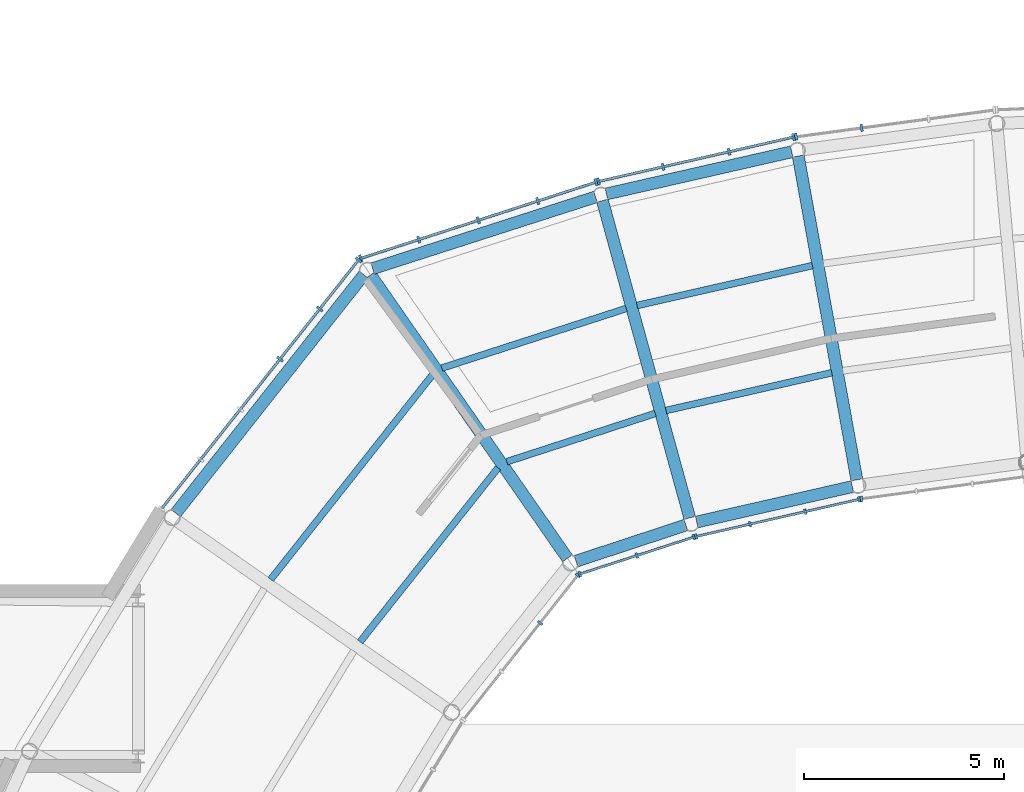
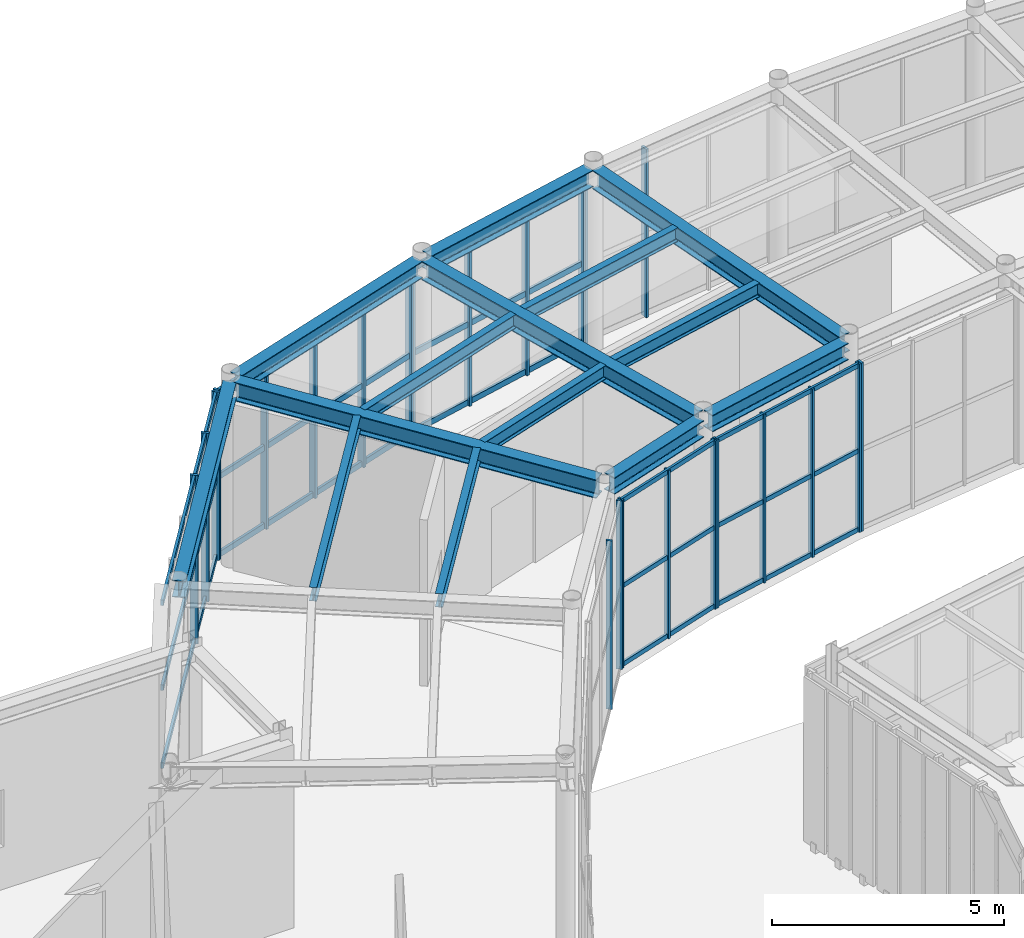
# One storey, part 43 of 97: 39 members, 14 beams, 8 elements without a shape of their own.
"""IFC4 building model written with IfcOpenShell, lengths in metres."""

from ifc_helpers import new_model, si_unit, direction, frame, origin, origin_2d, place, context, subcontext, project, spatial, rectangle, i_section, extrude, material, material_profile, profile_set, type_object, element, aggregate, save


model = new_model("IFC4")

# Units and contexts
model_context = context("Model", 3, precision=1e-05, world=origin(), true_north=direction((0.0, 1.0)))
body_context = subcontext(model_context, "Body", "Model", "MODEL_VIEW")
ifc_project = project(units=[si_unit("LENGTHUNIT", "METRE"), si_unit("AREAUNIT", "SQUARE_METRE"), si_unit("VOLUMEUNIT", "CUBIC_METRE"), si_unit("PLANEANGLEUNIT", "RADIAN"), si_unit("MASSUNIT", "GRAM", prefix="KILO")], contexts=[model_context])

# Site, building, storey
site_placement = place(None, origin())
site = spatial("IfcSite", under=ifc_project, at=site_placement, CompositionType="ELEMENT")
building_placement = place(site_placement, origin())
building = spatial("IfcBuilding", under=site, at=building_placement, Name="Varnklinge Art Gallery", CompositionType="ELEMENT")
storey_placement = place(building_placement, origin())
storey = spatial("IfcBuildingStorey", under=building, at=storey_placement, Name="L00", CompositionType="ELEMENT", Elevation=0.0)

# Beams
ifc_material_1 = material(Name="Steel S355", Category="steel")
ifc_material_profile_1 = material_profile(ifc_material_1, i_section(OverallWidth=0.300048828125, OverallDepth=0.489990234375, WebThickness=0.011962890625, FlangeThickness=0.02294921875, FilletRadius=0.027099609375, at=origin_2d()), Name="HEA 500")
ifc_profile_set_1 = profile_set([ifc_material_profile_1], Name="Steel S355")
beam_type_1 = type_object("IfcBeamType", Name="BM-07", PredefinedType="BEAM", material=ifc_profile_set_1)
for number, where, z_axis, x_axis, name in (
    (1, (65.504638671875, 96.21728515625, 4.635009765625), (0.178151776958, -0.984003020507, 0.0), (0.984003020507, 0.178151776958, 0.0), "L00 BM-07 BM-V2-L01-R19"),
    (2, (60.607421875, 95.102294921875, 4.635009765625), (0.26537851046, -0.96414430776, 0.0), (0.96414430776, 0.26537851046, 0.0), "L00 BM-07 BM-V2-L01-R20"),
):
    element("IfcBeam", number, at=place(storey_placement, frame(where, z_axis=z_axis, x_axis=x_axis)), inside=storey, type_object=beam_type_1, Name=name, PredefinedType="BEAM", context=body_context, shape_type="SweptSolid", body=[
        extrude(i_section(OverallWidth=0.300048828125, OverallDepth=0.489990234375, WebThickness=0.011962890625, FlangeThickness=0.02294921875, FilletRadius=0.027099609375, at=origin_2d()), origin(), (0.0, 0.0, 1.0), 8.229248046875),
    ])
beam_1_placement = place(storey_placement, frame((54.80908203125, 93.244873046875, 4.635009765625), z_axis=(0.570588727281, -0.821235961402, 0.0), x_axis=(0.821235961402, 0.570588727281, 0.0)))
element("IfcBeam", 3, at=beam_1_placement, inside=storey, type_object=beam_type_1, Name="L00 BM-07 BM-V2-L01-R21", PredefinedType="BEAM", context=body_context, shape_type="SweptSolid", body=[
    extrude(i_section(OverallWidth=0.300048828125, OverallDepth=0.489990234375, WebThickness=0.011962890625, FlangeThickness=0.02294921875, FilletRadius=0.027099609375, at=origin_2d()), origin(), (0.0, 0.0, 1.0), 8.6318359375),
])
ifc_material_2 = material(Name="Steel S355", Category="steel")
ifc_material_profile_2 = material_profile(ifc_material_2, i_section(OverallWidth=0.169921875, OverallDepth=0.360107421875, WebThickness=0.008056640625, FlangeThickness=0.0126953125, FilletRadius=0.01806640625, at=origin_2d()), Name="IPE 360")
ifc_profile_set_2 = profile_set([ifc_material_profile_2], Name="Steel S355")
beam_type_2 = type_object("IfcBeamType", Name="JST-06", PredefinedType="JOIST", material=ifc_profile_set_2)
beam_2_placement = place(storey_placement, frame((65.858642578125, 93.47705078125, 4.699951171875), z_axis=(-0.975052249235, -0.22197547446, 0.0), x_axis=(0.22197547446, -0.975052249235, 0.0)))
element("IfcBeam", 4, at=beam_2_placement, inside=storey, type_object=beam_type_2, Name="L00 JST-06 JST-V2-L01-19-1", PredefinedType="JOIST", context=body_context, shape_type="SweptSolid", body=[
    extrude(i_section(OverallWidth=0.169921875, OverallDepth=0.360107421875, WebThickness=0.008056640625, FlangeThickness=0.0126953125, FilletRadius=0.01806640625, at=origin_2d()), origin(), (0.0, 0.0, 1.0), 4.49609375),
])
beam_3_placement = place(storey_placement, frame((66.34375, 90.797607421875, 4.699951171875), z_axis=(-0.975058358995, -0.221948634943, 0.0), x_axis=(0.221948634943, -0.975058358995, 0.0)))
element("IfcBeam", 5, at=beam_3_placement, inside=storey, type_object=beam_type_2, Name="L00 JST-06 JST-V2-L01-19-2", PredefinedType="JOIST", context=body_context, shape_type="SweptSolid", body=[
    extrude(i_section(OverallWidth=0.169921875, OverallDepth=0.360107421875, WebThickness=0.008056640625, FlangeThickness=0.0126953125, FilletRadius=0.01806640625, at=origin_2d()), origin(), (0.0, 0.0, 1.0), 4.25244140625),
])
beam_4_placement = place(storey_placement, frame((61.204833984375, 92.40478515625, 4.699951171875), z_axis=(-0.951573262441, -0.307422065259, 0.0), x_axis=(0.307422065259, -0.951573262441, 0.0)))
element("IfcBeam", 6, at=beam_4_placement, inside=storey, type_object=beam_type_2, Name="L00 JST-06 JST-V2-L01-20-1", PredefinedType="JOIST", context=body_context, shape_type="SweptSolid", body=[
    extrude(i_section(OverallWidth=0.169921875, OverallDepth=0.360107421875, WebThickness=0.008056640625, FlangeThickness=0.0126953125, FilletRadius=0.01806640625, at=origin_2d()), origin(), (0.0, 0.0, 1.0), 4.848388671875),
])
beam_5_placement = place(storey_placement, frame((61.927490234375, 89.779296875, 4.699951171875), z_axis=(-0.950949393045, -0.309346491603, 0.0), x_axis=(0.309346491603, -0.950949393045, 0.0)))
element("IfcBeam", 7, at=beam_5_placement, inside=storey, type_object=beam_type_2, Name="L00 JST-06 JST-V2-L01-20-2", PredefinedType="JOIST", context=body_context, shape_type="SweptSolid", body=[
    extrude(i_section(OverallWidth=0.169921875, OverallDepth=0.360107421875, WebThickness=0.008056640625, FlangeThickness=0.0126953125, FilletRadius=0.01806640625, at=origin_2d()), origin(), (0.0, 0.0, 1.0), 3.900390625),
])
beam_6_placement = place(storey_placement, frame((56.37109375, 90.76171875, 4.699951171875), z_axis=(-0.620207823033, -0.784437541331, 0.0), x_axis=(0.784437541331, -0.620207823033, 0.0)))
element("IfcBeam", 8, at=beam_6_placement, inside=storey, type_object=beam_type_2, Name="L00 JST-06 JST-V2-L01-21-1", PredefinedType="JOIST", context=body_context, shape_type="SweptSolid", body=[
    extrude(i_section(OverallWidth=0.169921875, OverallDepth=0.360107421875, WebThickness=0.008056640625, FlangeThickness=0.0126953125, FilletRadius=0.01806640625, at=origin_2d()), origin(), (0.0, 0.0, 1.0), 6.5439453125),
])
beam_7_placement = place(storey_placement, frame((57.998291015625, 88.419677734375, 4.699951171875), z_axis=(-0.621380748712, -0.783508752427, 0.0), x_axis=(0.783508752427, -0.621380748712, 0.0)))
element("IfcBeam", 9, at=beam_7_placement, inside=storey, type_object=beam_type_2, Name="L00 JST-06 JST-V2-L01-21-2", PredefinedType="JOIST", context=body_context, shape_type="SweptSolid", body=[
    extrude(i_section(OverallWidth=0.169921875, OverallDepth=0.360107421875, WebThickness=0.008056640625, FlangeThickness=0.0126953125, FilletRadius=0.01806640625, at=origin_2d()), origin(), (0.0, 0.0, 1.0), 5.552001953125),
])

# Curtain wall, members
ifc_material_3 = material(Name="Anodised Aluminium", Category="aluminium")
curtain_wall_type_1 = type_object("IfcCurtainWallType", Name="CW-R03", PredefinedType="USERDEFINED", material=ifc_material_3)
curtain_wall_1_placement = place(storey_placement, origin())
curtain_wall_1 = element("IfcCurtainWall", 10, at=curtain_wall_1_placement, inside=storey, type_object=curtain_wall_type_1, Name="L00 Curtain Wall CW-V2O-L00-18", ObjectType="UNITISED CURTAIN WALL", PredefinedType="USERDEFINED")
ifc_material_4 = material(Name="Anodised Aluminium", Category="aluminium")
ifc_material_profile_3 = material_profile(ifc_material_4, rectangle(XDim=0.06494140625, YDim=0.179931640625, at=origin_2d()), Name="ALU 65x180")
ifc_profile_set_3 = profile_set([ifc_material_profile_3], Name="Anodised Aluminium")
member_type_1 = type_object("IfcMemberType", Name="MUL-01", PredefinedType="MULLION", material=ifc_profile_set_3)
member_1_placement = place(storey_placement, frame((67.091064453125, 96.925537109375, 0.0), z_axis=(0.0, 0.0, 1.0), x_axis=(-0.990983199715, -0.133986185418, 0.0)))
member_1 = element("IfcMember", 11, at=member_1_placement, type_object=member_type_1, Name="CW-V2O-L00-18 Mullion 3", PredefinedType="MULLION", context=body_context, shape_type="SweptSolid", body=[
    extrude(rectangle(XDim=0.06494140625, YDim=0.179931640625, at=origin_2d()), origin(), (0.0, 0.0, 1.0), 4.429931640625),
])
member_2_placement = place(storey_placement, frame((65.44970703125, 96.703857421875, 0.0), z_axis=(0.0, 0.0, 1.0), x_axis=(-0.990983199715, -0.133986185418, 0.0)))
member_2 = element("IfcMember", 12, at=member_2_placement, type_object=member_type_1, Name="CW-V2O-L00-18 Mullion 4", PredefinedType="MULLION", context=body_context, shape_type="SweptSolid", body=[
    extrude(rectangle(XDim=0.06494140625, YDim=0.179931640625, at=origin_2d()), origin(), (0.0, 0.0, 1.0), 4.429931640625),
])
aggregate(curtain_wall_1, [member_1, member_2])

curtain_wall_2_placement = place(storey_placement, origin())
curtain_wall_2 = element("IfcCurtainWall", 13, at=curtain_wall_2_placement, inside=storey, type_object=curtain_wall_type_1, Name="L00 Curtain Wall CW-V2O-L00-19", ObjectType="UNITISED CURTAIN WALL", PredefinedType="USERDEFINED")
member_3_placement = place(storey_placement, frame((65.3857421875, 96.692138671875, 0.0), z_axis=(0.0, 0.0, 1.0), x_axis=(-0.975071959883, -0.221888875454, 0.0)))
member_3 = element("IfcMember", 14, at=member_3_placement, type_object=member_type_1, Name="CW-V2O-L00-19 Mullion 1", PredefinedType="MULLION", context=body_context, shape_type="SweptSolid", body=[
    extrude(rectangle(XDim=0.06494140625, YDim=0.179931640625, at=origin_2d()), origin(), (0.0, 0.0, 1.0), 4.429931640625),
])
member_4_placement = place(storey_placement, frame((63.770751953125, 96.324462890625, 0.0), z_axis=(0.0, 0.0, 1.0), x_axis=(-0.975071959883, -0.221888875454, 0.0)))
member_4 = element("IfcMember", 15, at=member_4_placement, type_object=member_type_1, Name="CW-V2O-L00-19 Mullion 2", PredefinedType="MULLION", context=body_context, shape_type="SweptSolid", body=[
    extrude(rectangle(XDim=0.06494140625, YDim=0.179931640625, at=origin_2d()), origin(), (0.0, 0.0, 1.0), 4.429931640625),
])
member_5_placement = place(storey_placement, frame((62.1240234375, 95.94970703125, 0.0), z_axis=(0.0, 0.0, 1.0), x_axis=(-0.975071959883, -0.221888875454, 0.0)))
member_5 = element("IfcMember", 16, at=member_5_placement, type_object=member_type_1, Name="CW-V2O-L00-19 Mullion 3", PredefinedType="MULLION", context=body_context, shape_type="SweptSolid", body=[
    extrude(rectangle(XDim=0.06494140625, YDim=0.179931640625, at=origin_2d()), origin(), (0.0, 0.0, 1.0), 4.429931640625),
])
member_6_placement = place(storey_placement, frame((60.509033203125, 95.58203125, 0.0), z_axis=(0.0, 0.0, 1.0), x_axis=(-0.975071959883, -0.221888875454, 0.0)))
member_6 = element("IfcMember", 17, at=member_6_placement, type_object=member_type_1, Name="CW-V2O-L00-19 Mullion 4", PredefinedType="MULLION", context=body_context, shape_type="SweptSolid", body=[
    extrude(rectangle(XDim=0.06494140625, YDim=0.179931640625, at=origin_2d()), origin(), (0.0, 0.0, 1.0), 4.429931640625),
])

ifc_material_5 = material(Name="Anodised Aluminium", Category="aluminium")
curtain_wall_type_2 = type_object("IfcCurtainWallType", Name="CW-R01", PredefinedType="USERDEFINED", material=ifc_material_5)
curtain_wall_3_placement = place(storey_placement, origin())
curtain_wall_3 = element("IfcCurtainWall", 18, at=curtain_wall_3_placement, inside=storey, type_object=curtain_wall_type_2, Name="L00 Curtain Wall CW-V2O-L00-20", ObjectType="UNITISED CURTAIN WALL", PredefinedType="USERDEFINED")
member_7_placement = place(storey_placement, frame((60.446533203125, 95.564697265625, 0.0), z_axis=(0.0, 0.0, 1.0), x_axis=(-0.951272019071, -0.30835295642, 0.0)))
member_7 = element("IfcMember", 19, at=member_7_placement, type_object=member_type_1, Name="CW-V2O-L00-20 Mullion 1", PredefinedType="MULLION", context=body_context, shape_type="SweptSolid", body=[
    extrude(rectangle(XDim=0.06494140625, YDim=0.179931640625, at=origin_2d()), origin(), (0.0, 0.0, 1.0), 4.429931640625),
])
member_8_placement = place(storey_placement, frame((58.990478515625, 95.093017578125, 0.0), z_axis=(0.0, 0.0, 1.0), x_axis=(-0.951272019071, -0.30835295642, 0.0)))
member_8 = element("IfcMember", 20, at=member_8_placement, type_object=member_type_1, Name="CW-V2O-L00-20 Mullion 2", PredefinedType="MULLION", context=body_context, shape_type="SweptSolid", body=[
    extrude(rectangle(XDim=0.06494140625, YDim=0.179931640625, at=origin_2d()), origin(), (0.0, 0.0, 1.0), 4.429931640625),
])
member_9_placement = place(storey_placement, frame((57.50341796875, 94.611083984375, 0.0), z_axis=(0.0, 0.0, 1.0), x_axis=(-0.951272019071, -0.30835295642, 0.0)))
member_9 = element("IfcMember", 21, at=member_9_placement, type_object=member_type_1, Name="CW-V2O-L00-20 Mullion 3", PredefinedType="MULLION", context=body_context, shape_type="SweptSolid", body=[
    extrude(rectangle(XDim=0.06494140625, YDim=0.179931640625, at=origin_2d()), origin(), (0.0, 0.0, 1.0), 4.429931640625),
])
member_10_placement = place(storey_placement, frame((56.016357421875, 94.129150390625, 0.0), z_axis=(0.0, 0.0, 1.0), x_axis=(-0.951272019071, -0.30835295642, 0.0)))
member_10 = element("IfcMember", 22, at=member_10_placement, type_object=member_type_1, Name="CW-V2O-L00-20 Mullion 4", PredefinedType="MULLION", context=body_context, shape_type="SweptSolid", body=[
    extrude(rectangle(XDim=0.06494140625, YDim=0.179931640625, at=origin_2d()), origin(), (0.0, 0.0, 1.0), 4.429931640625),
])
member_11_placement = place(storey_placement, frame((54.560302734375, 93.6572265625, 0.0), z_axis=(0.0, 0.0, 1.0), x_axis=(-0.951272019071, -0.30835295642, 0.0)))
member_11 = element("IfcMember", 23, at=member_11_placement, type_object=member_type_1, Name="CW-V2O-L00-20 Mullion 5", PredefinedType="MULLION", context=body_context, shape_type="SweptSolid", body=[
    extrude(rectangle(XDim=0.06494140625, YDim=0.179931640625, at=origin_2d()), origin(), (0.0, 0.0, 1.0), 4.429931640625),
])

curtain_wall_4_placement = place(storey_placement, origin())
curtain_wall_4 = element("IfcCurtainWall", 24, at=curtain_wall_4_placement, inside=storey, type_object=curtain_wall_type_2, Name="L00 Curtain Wall CW-V2O-L00-21", ObjectType="UNITISED CURTAIN WALL", PredefinedType="USERDEFINED")
member_12_placement = place(storey_placement, frame((54.50927734375, 93.62158203125, 0.0), z_axis=(0.0, 0.0, 1.0), x_axis=(-0.620737354217, -0.784018582101, 0.0)))
member_12 = element("IfcMember", 25, at=member_12_placement, type_object=member_type_1, Name="CW-V2O-L00-21 Mullion 1", PredefinedType="MULLION", context=body_context, shape_type="SweptSolid", body=[
    extrude(rectangle(XDim=0.06494140625, YDim=0.179931640625, at=origin_2d()), origin(), (0.0, 0.0, 1.0), 4.429931640625),
])
member_13_placement = place(storey_placement, frame((53.5361328125, 92.392822265625, 0.0), z_axis=(0.0, 0.0, 1.0), x_axis=(-0.620737354217, -0.784018582101, 0.0)))
member_13 = element("IfcMember", 26, at=member_13_placement, type_object=member_type_1, Name="CW-V2O-L00-21 Mullion 2", PredefinedType="MULLION", context=body_context, shape_type="SweptSolid", body=[
    extrude(rectangle(XDim=0.06494140625, YDim=0.179931640625, at=origin_2d()), origin(), (0.0, 0.0, 1.0), 4.429931640625),
])
member_14_placement = place(storey_placement, frame((52.542724609375, 91.13818359375, 0.0), z_axis=(0.0, 0.0, 1.0), x_axis=(-0.620737354217, -0.784018582101, 0.0)))
member_14 = element("IfcMember", 27, at=member_14_placement, type_object=member_type_1, Name="CW-V2O-L00-21 Mullion 3", PredefinedType="MULLION", context=body_context, shape_type="SweptSolid", body=[
    extrude(rectangle(XDim=0.06494140625, YDim=0.179931640625, at=origin_2d()), origin(), (0.0, 0.0, 1.0), 4.429931640625),
])

# Curtain wall, member
curtain_wall_5_placement = place(storey_placement, origin())
curtain_wall_5 = element("IfcCurtainWall", 28, at=curtain_wall_5_placement, inside=storey, type_object=curtain_wall_type_1, Name="L00 Curtain Wall CW-V2I-L00-18", ObjectType="UNITISED CURTAIN WALL", PredefinedType="USERDEFINED")
ifc_material_6 = material(Name="Anodised Aluminium", Category="aluminium")
ifc_material_profile_4 = material_profile(ifc_material_6, rectangle(XDim=0.06005859375, YDim=0.139892578125, at=origin_2d()), Name="ALU 60x140")
ifc_profile_set_4 = profile_set([ifc_material_profile_4], Name="Anodised Aluminium")
member_type_2 = type_object("IfcMemberType", Name="MUL-03", PredefinedType="MULLION", material=ifc_profile_set_4)
member_15_placement = place(storey_placement, frame((67.087646484375, 87.641357421875, 0.0), z_axis=(0.0, 0.0, 1.0), x_axis=(0.990983199715, 0.133986185418, 0.0)))
member_15 = element("IfcMember", 29, at=member_15_placement, type_object=member_type_2, Name="CW-V2I-L00-18 Mullion 1", PredefinedType="MULLION", context=body_context, shape_type="SweptSolid", body=[
    extrude(rectangle(XDim=0.06005859375, YDim=0.139892578125, at=origin_2d()), origin(), (0.0, 0.0, 1.0), 4.429931640625),
])
aggregate(curtain_wall_5, [member_15])

# Curtain wall, members
curtain_wall_6_placement = place(storey_placement, origin())
curtain_wall_6 = element("IfcCurtainWall", 30, at=curtain_wall_6_placement, inside=storey, type_object=curtain_wall_type_1, Name="L00 Curtain Wall CW-V2I-L00-19", ObjectType="UNITISED CURTAIN WALL", PredefinedType="USERDEFINED")
member_16_placement = place(storey_placement, frame((62.95068359375, 86.702392578125, 0.0), z_axis=(0.0, 0.0, 1.0), x_axis=(0.975071959883, 0.221888875454, 0.0)))
member_16 = element("IfcMember", 31, at=member_16_placement, type_object=member_type_2, Name="CW-V2I-L00-19 Mullion 1", PredefinedType="MULLION", context=body_context, shape_type="SweptSolid", body=[
    extrude(rectangle(XDim=0.06005859375, YDim=0.139892578125, at=origin_2d()), origin(), (0.0, 0.0, 1.0), 4.429931640625),
])
member_17_placement = place(storey_placement, frame((64.30029296875, 87.009765625, 0.0), z_axis=(0.0, 0.0, 1.0), x_axis=(0.975071959883, 0.221888875454, 0.0)))
member_17 = element("IfcMember", 32, at=member_17_placement, type_object=member_type_2, Name="CW-V2I-L00-19 Mullion 2", PredefinedType="MULLION", context=body_context, shape_type="SweptSolid", body=[
    extrude(rectangle(XDim=0.06005859375, YDim=0.139892578125, at=origin_2d()), origin(), (0.0, 0.0, 1.0), 4.429931640625),
])
member_18_placement = place(storey_placement, frame((65.67919921875, 87.323486328125, 0.0), z_axis=(0.0, 0.0, 1.0), x_axis=(0.975071959883, 0.221888875454, 0.0)))
member_18 = element("IfcMember", 33, at=member_18_placement, type_object=member_type_2, Name="CW-V2I-L00-19 Mullion 3", PredefinedType="MULLION", context=body_context, shape_type="SweptSolid", body=[
    extrude(rectangle(XDim=0.06005859375, YDim=0.139892578125, at=origin_2d()), origin(), (0.0, 0.0, 1.0), 4.429931640625),
])
member_19_placement = place(storey_placement, frame((67.028564453125, 87.630615234375, 0.0), z_axis=(0.0, 0.0, 1.0), x_axis=(0.975071959883, 0.221888875454, 0.0)))
member_19 = element("IfcMember", 34, at=member_19_placement, type_object=member_type_2, Name="CW-V2I-L00-19 Mullion 4", PredefinedType="MULLION", context=body_context, shape_type="SweptSolid", body=[
    extrude(rectangle(XDim=0.06005859375, YDim=0.139892578125, at=origin_2d()), origin(), (0.0, 0.0, 1.0), 4.429931640625),
])

curtain_wall_7_placement = place(storey_placement, origin())
curtain_wall_7 = element("IfcCurtainWall", 35, at=curtain_wall_7_placement, inside=storey, type_object=curtain_wall_type_1, Name="L00 Curtain Wall CW-V2I-L00-20", ObjectType="UNITISED CURTAIN WALL", PredefinedType="USERDEFINED")
member_20_placement = place(storey_placement, frame((60.04248046875, 85.7626953125, 0.0), z_axis=(0.0, 0.0, 1.0), x_axis=(0.951272019071, 0.30835295642, 0.0)))
member_20 = element("IfcMember", 36, at=member_20_placement, type_object=member_type_2, Name="CW-V2I-L00-20 Mullion 1", PredefinedType="MULLION", context=body_context, shape_type="SweptSolid", body=[
    extrude(rectangle(XDim=0.06005859375, YDim=0.139892578125, at=origin_2d()), origin(), (0.0, 0.0, 1.0), 4.429931640625),
])
member_21_placement = place(storey_placement, frame((61.4677734375, 86.224609375, 0.0), z_axis=(0.0, 0.0, 1.0), x_axis=(0.951272019071, 0.30835295642, 0.0)))
member_21 = element("IfcMember", 37, at=member_21_placement, type_object=member_type_2, Name="CW-V2I-L00-20 Mullion 2", PredefinedType="MULLION", context=body_context, shape_type="SweptSolid", body=[
    extrude(rectangle(XDim=0.06005859375, YDim=0.139892578125, at=origin_2d()), origin(), (0.0, 0.0, 1.0), 4.429931640625),
])
member_22_placement = place(storey_placement, frame((62.892822265625, 86.6865234375, 0.0), z_axis=(0.0, 0.0, 1.0), x_axis=(0.951272019071, 0.30835295642, 0.0)))
member_22 = element("IfcMember", 38, at=member_22_placement, type_object=member_type_2, Name="CW-V2I-L00-20 Mullion 3", PredefinedType="MULLION", context=body_context, shape_type="SweptSolid", body=[
    extrude(rectangle(XDim=0.06005859375, YDim=0.139892578125, at=origin_2d()), origin(), (0.0, 0.0, 1.0), 4.429931640625),
])

curtain_wall_8_placement = place(storey_placement, origin())
curtain_wall_8 = element("IfcCurtainWall", 39, at=curtain_wall_8_placement, inside=storey, type_object=curtain_wall_type_1, Name="L00 Curtain Wall CW-V2I-L00-21", ObjectType="UNITISED CURTAIN WALL", PredefinedType="USERDEFINED")
member_23_placement = place(storey_placement, frame((59.05078125, 84.536865234375, 0.0), z_axis=(0.0, 0.0, 1.0), x_axis=(0.620737354217, 0.784018582101, 0.0)))
member_23 = element("IfcMember", 40, at=member_23_placement, type_object=member_type_2, Name="CW-V2I-L00-21 Mullion 3", PredefinedType="MULLION", context=body_context, shape_type="SweptSolid", body=[
    extrude(rectangle(XDim=0.06005859375, YDim=0.139892578125, at=origin_2d()), origin(), (0.0, 0.0, 1.0), 4.429931640625),
])
member_24_placement = place(storey_placement, frame((59.995361328125, 85.72998046875, 0.0), z_axis=(0.0, 0.0, 1.0), x_axis=(0.620737354217, 0.784018582101, 0.0)))
member_24 = element("IfcMember", 41, at=member_24_placement, type_object=member_type_2, Name="CW-V2I-L00-21 Mullion 4", PredefinedType="MULLION", context=body_context, shape_type="SweptSolid", body=[
    extrude(rectangle(XDim=0.06005859375, YDim=0.139892578125, at=origin_2d()), origin(), (0.0, 0.0, 1.0), 4.429931640625),
])
aggregate(curtain_wall_8, [member_23, member_24])

# Beams
ifc_material_7 = material(Name="Steel S355", Category="steel")
ifc_material_profile_5 = material_profile(ifc_material_7, i_section(OverallWidth=0.300048828125, OverallDepth=0.43994140625, WebThickness=0.011474609375, FlangeThickness=0.02099609375, FilletRadius=0.027099609375, at=origin_2d()), Name="HEA 450")
ifc_profile_set_5 = profile_set([ifc_material_profile_5], Name="Steel S355")
beam_type_3 = type_object("IfcBeamType", Name="SPB-02", PredefinedType="SPANDREL", material=ifc_profile_set_5)
beam_8_placement = place(storey_placement, frame((65.34326171875, 96.323974609375, 4.659912109375), z_axis=(-0.975056640979, -0.221956182347, 0.0), x_axis=(0.221956182347, -0.975056640979, 0.0)))
element("IfcBeam", 42, at=beam_8_placement, inside=storey, type_object=beam_type_3, Name="L00 SPB-02 BM-V2-L01-O19", PredefinedType="SPANDREL", context=body_context, shape_type="SweptSolid", body=[
    extrude(i_section(OverallWidth=0.300048828125, OverallDepth=0.43994140625, WebThickness=0.011474609375, FlangeThickness=0.02099609375, FilletRadius=0.027099609375, at=origin_2d()), origin(), (0.0, 0.0, 1.0), 4.755126953125),
])
beam_9_placement = place(storey_placement, frame((66.859130859375, 87.95068359375, 4.659912109375), z_axis=(-0.975053526144, -0.221969865419, 0.0), x_axis=(0.221969865419, -0.975053526144, 0.0)))
element("IfcBeam", 43, at=beam_9_placement, inside=storey, type_object=beam_type_3, Name="L00 SPB-02 BM-V2-L01-I19", PredefinedType="SPANDREL", context=body_context, shape_type="SweptSolid", body=[
    extrude(i_section(OverallWidth=0.300048828125, OverallDepth=0.43994140625, WebThickness=0.011474609375, FlangeThickness=0.02099609375, FilletRadius=0.027099609375, at=origin_2d()), origin(), (0.0, 0.0, 1.0), 3.99365234375),
])
beam_10_placement = place(storey_placement, frame((60.43701171875, 95.194580078125, 4.659912109375), z_axis=(-0.952022487869, -0.306028074843, 0.0), x_axis=(0.306028074843, -0.952022487869, 0.0)))
element("IfcBeam", 44, at=beam_10_placement, inside=storey, type_object=beam_type_3, Name="L00 SPB-02 BM-V2-L01-O20", PredefinedType="SPANDREL", context=body_context, shape_type="SweptSolid", body=[
    extrude(i_section(OverallWidth=0.300048828125, OverallDepth=0.43994140625, WebThickness=0.011474609375, FlangeThickness=0.02099609375, FilletRadius=0.027099609375, at=origin_2d()), origin(), (0.0, 0.0, 1.0), 5.855712890625),
])
beam_11_placement = place(storey_placement, frame((62.695556640625, 86.989501953125, 4.659912109375), z_axis=(-0.94984963517, -0.312707004347, 0.0), x_axis=(0.312707004347, -0.94984963517, 0.0)))
element("IfcBeam", 45, at=beam_11_placement, inside=storey, type_object=beam_type_3, Name="L00 SPB-02 BM-V2-L01-I20", PredefinedType="SPANDREL", context=body_context, shape_type="SweptSolid", body=[
    extrude(i_section(OverallWidth=0.300048828125, OverallDepth=0.43994140625, WebThickness=0.011474609375, FlangeThickness=0.02099609375, FilletRadius=0.027099609375, at=origin_2d()), origin(), (0.0, 0.0, 1.0), 2.893310546875),
])
beam_12_placement = place(storey_placement, frame((54.642333984375, 93.25, 4.659912109375), z_axis=(-0.619327516232, -0.785132745233, 0.0), x_axis=(0.785132745233, -0.619327516232, 0.0)))
element("IfcBeam", 46, at=beam_12_placement, inside=storey, type_object=beam_type_3, Name="L00 SPB-02 BM-V2-L01-O21", PredefinedType="SPANDREL", context=body_context, shape_type="SweptSolid", body=[
    extrude(i_section(OverallWidth=0.300048828125, OverallDepth=0.43994140625, WebThickness=0.011474609375, FlangeThickness=0.02099609375, FilletRadius=0.027099609375, at=origin_2d()), origin(), (0.0, 0.0, 1.0), 7.597900390625),
])

# Member
ifc_material_8 = material(Name="Anodised Aluminium", Category="aluminium")
ifc_material_profile_6 = material_profile(ifc_material_8, rectangle(XDim=0.06494140625, YDim=0.14990234375, at=origin_2d()), Name="ALU 65x150")
ifc_profile_set_6 = profile_set([ifc_material_profile_6], Name="Anodised Aluminium")
member_type_3 = type_object("IfcMemberType", Name="TRN-01", PredefinedType="USERDEFINED", material=ifc_profile_set_6)
member_25_placement = place(storey_placement, frame((65.3857421875, 96.692138671875, 0.074951171875), z_axis=(-0.975056556425, -0.221956553795, 0.0), x_axis=(0.221956553795, -0.975056556425, 0.0)))
member_25 = element("IfcMember", 47, at=member_25_placement, type_object=member_type_3, Name="CW-V2O-L00-19 Transom 1", ObjectType="TRANSOM", PredefinedType="USERDEFINED", context=body_context, shape_type="SweptSolid", body=[
    extrude(rectangle(XDim=0.06494140625, YDim=0.14990234375, at=origin_2d()), origin(), (0.0, 0.0, 1.0), 5.00146484375),
])

member_26_placement = place(storey_placement, frame((65.3857421875, 96.692138671875, 2.12646484375), z_axis=(-0.975056556425, -0.221956553795, 0.0), x_axis=(0.221956553795, -0.975056556425, 0.0)))
member_26 = element("IfcMember", 48, at=member_26_placement, type_object=member_type_3, Name="CW-V2O-L00-19 Transom 2", ObjectType="TRANSOM", PredefinedType="USERDEFINED", context=body_context, shape_type="SweptSolid", body=[
    extrude(rectangle(XDim=0.06494140625, YDim=0.14990234375, at=origin_2d()), origin(), (0.0, 0.0, 1.0), 5.00146484375),
])

member_27_placement = place(storey_placement, frame((65.3857421875, 96.692138671875, 4.35498046875), z_axis=(-0.975056556425, -0.221956553795, 0.0), x_axis=(0.221956553795, -0.975056556425, 0.0)))
member_27 = element("IfcMember", 49, at=member_27_placement, type_object=member_type_3, Name="CW-V2O-L00-19 Transom 3", ObjectType="TRANSOM", PredefinedType="USERDEFINED", context=body_context, shape_type="SweptSolid", body=[
    extrude(rectangle(XDim=0.06494140625, YDim=0.14990234375, at=origin_2d()), origin(), (0.0, 0.0, 1.0), 5.00146484375),
])

aggregate(curtain_wall_2, [member_3, member_4, member_5, member_6, member_25, member_26, member_27])

member_28_placement = place(storey_placement, frame((60.446533203125, 95.564697265625, 0.074951171875), z_axis=(-0.951297583727, -0.308274078045, 0.0), x_axis=(0.308274078045, -0.951297583727, 0.0)))
member_28 = element("IfcMember", 50, at=member_28_placement, type_object=member_type_3, Name="CW-V2O-L00-20 Transom 1", ObjectType="TRANSOM", PredefinedType="USERDEFINED", context=body_context, shape_type="SweptSolid", body=[
    extrude(rectangle(XDim=0.06494140625, YDim=0.14990234375, at=origin_2d()), origin(), (0.0, 0.0, 1.0), 6.1875),
])

member_29_placement = place(storey_placement, frame((60.446533203125, 95.564697265625, 2.12646484375), z_axis=(-0.951297583727, -0.308274078045, 0.0), x_axis=(0.308274078045, -0.951297583727, 0.0)))
member_29 = element("IfcMember", 51, at=member_29_placement, type_object=member_type_3, Name="CW-V2O-L00-20 Transom 2", ObjectType="TRANSOM", PredefinedType="USERDEFINED", context=body_context, shape_type="SweptSolid", body=[
    extrude(rectangle(XDim=0.06494140625, YDim=0.14990234375, at=origin_2d()), origin(), (0.0, 0.0, 1.0), 6.1875),
])

member_30_placement = place(storey_placement, frame((60.446533203125, 95.564697265625, 4.35498046875), z_axis=(-0.951297583727, -0.308274078045, 0.0), x_axis=(0.308274078045, -0.951297583727, 0.0)))
member_30 = element("IfcMember", 52, at=member_30_placement, type_object=member_type_3, Name="CW-V2O-L00-20 Transom 3", ObjectType="TRANSOM", PredefinedType="USERDEFINED", context=body_context, shape_type="SweptSolid", body=[
    extrude(rectangle(XDim=0.06494140625, YDim=0.14990234375, at=origin_2d()), origin(), (0.0, 0.0, 1.0), 6.1875),
])

aggregate(curtain_wall_3, [member_7, member_8, member_9, member_10, member_11, member_28, member_29, member_30])

member_31_placement = place(storey_placement, frame((54.50927734375, 93.62158203125, 0.074951171875), z_axis=(-0.620773865462, -0.783989673376, 0.0), x_axis=(0.783989673376, -0.620773865462, 0.0)))
member_31 = element("IfcMember", 53, at=member_31_placement, type_object=member_type_3, Name="CW-V2O-L00-21 Transom 1", ObjectType="TRANSOM", PredefinedType="USERDEFINED", context=body_context, shape_type="SweptSolid", body=[
    extrude(rectangle(XDim=0.06494140625, YDim=0.14990234375, at=origin_2d()), origin(), (0.0, 0.0, 1.0), 7.935302734375),
])

member_32_placement = place(storey_placement, frame((54.50927734375, 93.62158203125, 2.12646484375), z_axis=(-0.620773865462, -0.783989673376, 0.0), x_axis=(0.783989673376, -0.620773865462, 0.0)))
member_32 = element("IfcMember", 54, at=member_32_placement, type_object=member_type_3, Name="CW-V2O-L00-21 Transom 2", ObjectType="TRANSOM", PredefinedType="USERDEFINED", context=body_context, shape_type="SweptSolid", body=[
    extrude(rectangle(XDim=0.06494140625, YDim=0.14990234375, at=origin_2d()), origin(), (0.0, 0.0, 1.0), 7.935302734375),
])

member_33_placement = place(storey_placement, frame((54.50927734375, 93.62158203125, 4.35498046875), z_axis=(-0.620773865462, -0.783989673376, 0.0), x_axis=(0.783989673376, -0.620773865462, 0.0)))
member_33 = element("IfcMember", 55, at=member_33_placement, type_object=member_type_3, Name="CW-V2O-L00-21 Transom 3", ObjectType="TRANSOM", PredefinedType="USERDEFINED", context=body_context, shape_type="SweptSolid", body=[
    extrude(rectangle(XDim=0.06494140625, YDim=0.14990234375, at=origin_2d()), origin(), (0.0, 0.0, 1.0), 7.935302734375),
])

aggregate(curtain_wall_4, [member_12, member_13, member_14, member_31, member_32, member_33])

ifc_material_9 = material(Name="Anodised Aluminium", Category="aluminium")
ifc_material_profile_7 = material_profile(ifc_material_9, rectangle(XDim=0.06005859375, YDim=0.1201171875, at=origin_2d()), Name="ALU 60x120")
ifc_profile_set_7 = profile_set([ifc_material_profile_7], Name="Anodised Aluminium")
member_type_4 = type_object("IfcMemberType", Name="TRN-02", PredefinedType="USERDEFINED", material=ifc_profile_set_7)
member_34_placement = place(storey_placement, frame((62.95068359375, 86.702392578125, 0.06005859375), z_axis=(0.975058827612, 0.221946576219, 0.0), x_axis=(-0.221946576219, 0.975058827612, 0.0)))
member_34 = element("IfcMember", 56, at=member_34_placement, type_object=member_type_4, Name="CW-V2I-L00-19 Transom 1", ObjectType="TRANSOM", PredefinedType="USERDEFINED", context=body_context, shape_type="SweptSolid", body=[
    extrude(rectangle(XDim=0.06005859375, YDim=0.1201171875, at=origin_2d()), origin(), (0.0, 0.0, 1.0), 4.18212890625),
])

member_35_placement = place(storey_placement, frame((62.95068359375, 86.702392578125, 2.12646484375), z_axis=(0.975058827612, 0.221946576219, 0.0), x_axis=(-0.221946576219, 0.975058827612, 0.0)))
member_35 = element("IfcMember", 57, at=member_35_placement, type_object=member_type_4, Name="CW-V2I-L00-19 Transom 2", ObjectType="TRANSOM", PredefinedType="USERDEFINED", context=body_context, shape_type="SweptSolid", body=[
    extrude(rectangle(XDim=0.06005859375, YDim=0.1201171875, at=origin_2d()), origin(), (0.0, 0.0, 1.0), 4.18212890625),
])

member_36_placement = place(storey_placement, frame((62.95068359375, 86.702392578125, 4.3701171875), z_axis=(0.975058827612, 0.221946576219, 0.0), x_axis=(-0.221946576219, 0.975058827612, 0.0)))
member_36 = element("IfcMember", 58, at=member_36_placement, type_object=member_type_4, Name="CW-V2I-L00-19 Transom 3", ObjectType="TRANSOM", PredefinedType="USERDEFINED", context=body_context, shape_type="SweptSolid", body=[
    extrude(rectangle(XDim=0.06005859375, YDim=0.1201171875, at=origin_2d()), origin(), (0.0, 0.0, 1.0), 4.18212890625),
])

aggregate(curtain_wall_6, [member_16, member_17, member_18, member_19, member_34, member_35, member_36])

member_37_placement = place(storey_placement, frame((60.04248046875, 85.7626953125, 0.06005859375), z_axis=(0.9512822555, 0.308321375144, 0.0), x_axis=(-0.308321375144, 0.9512822555, 0.0)))
member_37 = element("IfcMember", 59, at=member_37_placement, type_object=member_type_4, Name="CW-V2I-L00-20 Transom 1", ObjectType="TRANSOM", PredefinedType="USERDEFINED", context=body_context, shape_type="SweptSolid", body=[
    extrude(rectangle(XDim=0.06005859375, YDim=0.1201171875, at=origin_2d()), origin(), (0.0, 0.0, 1.0), 2.996337890625),
])

member_38_placement = place(storey_placement, frame((60.04248046875, 85.7626953125, 2.12646484375), z_axis=(0.9512822555, 0.308321375144, 0.0), x_axis=(-0.308321375144, 0.9512822555, 0.0)))
member_38 = element("IfcMember", 60, at=member_38_placement, type_object=member_type_4, Name="CW-V2I-L00-20 Transom 2", ObjectType="TRANSOM", PredefinedType="USERDEFINED", context=body_context, shape_type="SweptSolid", body=[
    extrude(rectangle(XDim=0.06005859375, YDim=0.1201171875, at=origin_2d()), origin(), (0.0, 0.0, 1.0), 2.996337890625),
])

member_39_placement = place(storey_placement, frame((60.04248046875, 85.7626953125, 4.3701171875), z_axis=(0.9512822555, 0.308321375144, 0.0), x_axis=(-0.308321375144, 0.9512822555, 0.0)))
member_39 = element("IfcMember", 61, at=member_39_placement, type_object=member_type_4, Name="CW-V2I-L00-20 Transom 3", ObjectType="TRANSOM", PredefinedType="USERDEFINED", context=body_context, shape_type="SweptSolid", body=[
    extrude(rectangle(XDim=0.06005859375, YDim=0.1201171875, at=origin_2d()), origin(), (0.0, 0.0, 1.0), 2.996337890625),
])

aggregate(curtain_wall_7, [member_20, member_21, member_22, member_37, member_38, member_39])

save(model, "model.ifc")
